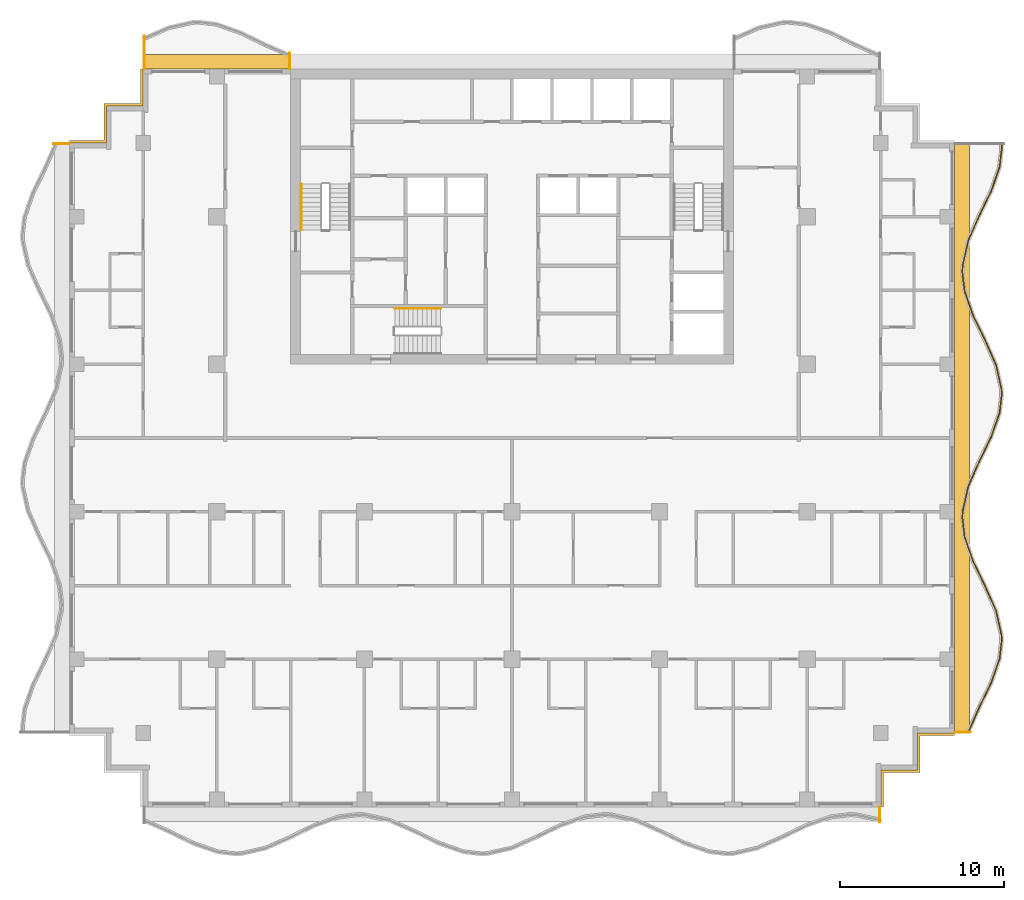
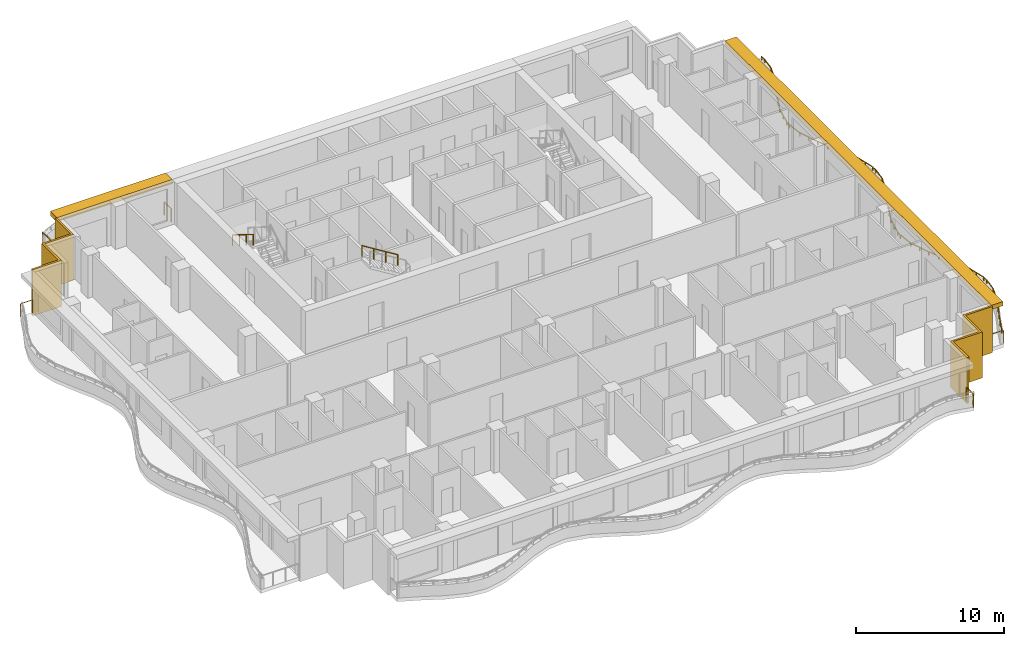
# One storey, part 10 of 11: 8 railings, 4 shading devices.
"""IFC4 building model written with IfcOpenShell, lengths in metres."""

import ifcopenshell
import ifcopenshell.guid

model = None  # the IFC model being written
_history = None  # IfcOwnerHistory: only IFC2X3 demands one
_inside = {}  # id of a spatial element -> (the spatial element, [elements in it])
_under = {}  # id of a project, library or spatial element -> (it, [spatial elements below it])
_declared = {}  # id of a project -> (the project, [libraries it declares])
_typed = {}  # id of a type object -> (the type object, [elements of that type])
_made_of = {}  # id of a material, layer set ... -> (it, [elements and type objects made of it])


def new_model(schema):
    """Start an empty IFC model of exactly this schema.

    Asked for "IFC4X3", IfcOpenShell would pick the latest addendum, in which some entities
    have other attributes; the version numbers below select the first issue.
    IFC2X3 requires an IfcOwnerHistory on every rooted entity: one is made here for all.
    """
    global model, _history
    if schema == "IFC4X3":
        model = ifcopenshell.file(schema_version=(4, 3, 0, 0))
    else:
        model = ifcopenshell.file(schema=schema)
    _inside.clear()
    _under.clear()
    _declared.clear()
    _typed.clear()
    _made_of.clear()
    _history = None
    if model.schema == "IFC2X3":
        org = make("IfcOrganization", Name="unknown")
        user = make(
            "IfcPersonAndOrganization",
            ThePerson=make("IfcPerson", FamilyName="unknown"),
            TheOrganization=org,
        )
        app = make(
            "IfcApplication",
            ApplicationDeveloper=org,
            Version="unknown",
            ApplicationFullName="unknown",
            ApplicationIdentifier="unknown",
        )
        _history = make(
            "IfcOwnerHistory",
            OwningUser=user,
            OwningApplication=app,
            ChangeAction="ADDED",
            CreationDate=0,
        )
    return model


def make(cls, **values):
    """One entity of the class cls with the attributes given. An attribute that is None is left unset."""
    return model.create_entity(
        cls, **{name: value for name, value in values.items() if value is not None}
    )


def rooted(cls, **values):
    """An entity with a GlobalId (a new one), such as an element, a storey or a relation."""
    return make(cls, GlobalId=ifcopenshell.guid.new(), OwnerHistory=_history, **values)


def si_unit(unit_type, name, prefix=None):
    """IfcSIUnit, for example si_unit("LENGTHUNIT", "METRE", prefix="MILLI")."""
    return make("IfcSIUnit", UnitType=unit_type, Prefix=prefix, Name=name)


def assignment(units):
    """IfcUnitAssignment: the units of a project."""
    return None if units is None else make("IfcUnitAssignment", Units=units)


def point(xyz):
    """IfcCartesianPoint."""
    return None if xyz is None else make("IfcCartesianPoint", Coordinates=xyz)


def direction(xyz):
    """IfcDirection."""
    return None if xyz is None else make("IfcDirection", DirectionRatios=xyz)


def frame(location, z_axis=None, x_axis=None):
    """IfcAxis2Placement3D, a coordinate frame: its origin and axes. An axis left out is left unset."""
    return make(
        "IfcAxis2Placement3D",
        Location=point(location),
        Axis=direction(z_axis),
        RefDirection=direction(x_axis),
    )


def frame_2d(location, x_axis=None):
    """IfcAxis2Placement2D, a coordinate frame in the plane: its origin and x axis."""
    return make(
        "IfcAxis2Placement2D", Location=point(location), RefDirection=direction(x_axis)
    )


def origin():
    """The frame at (0, 0, 0) with its axes left unset."""
    return frame((0.0, 0.0, 0.0))


def origin_2d():
    """The frame at (0, 0) in the plane with its x axis left unset."""
    return frame_2d((0.0, 0.0))


def place(relative_to, where):
    """IfcLocalPlacement: puts the frame where relative to a parent placement (None: the world)."""
    return make(
        "IfcLocalPlacement", PlacementRelTo=relative_to, RelativePlacement=where
    )


def context(
    kind, dimensions, precision=None, world=None, true_north=None, identifier=None
):
    """IfcGeometricRepresentationContext, for example the 3D "Model" context."""
    return make(
        "IfcGeometricRepresentationContext",
        ContextIdentifier=identifier,
        ContextType=kind,
        CoordinateSpaceDimension=dimensions,
        Precision=precision,
        WorldCoordinateSystem=world,
        TrueNorth=true_north,
    )


def subcontext(parent, identifier, kind, view, scale=None):
    """IfcGeometricRepresentationSubContext, for example "Body" below "Model"."""
    return make(
        "IfcGeometricRepresentationSubContext",
        ContextIdentifier=identifier,
        ContextType=kind,
        ParentContext=parent,
        TargetScale=scale,
        TargetView=view,
    )


def project(units=None, contexts=None):
    """IfcProject with its units and contexts."""
    return rooted(
        "IfcProject",
        Name="project",
        RepresentationContexts=contexts,
        UnitsInContext=assignment(units),
    )


def spatial(cls, under=None, at=None, **own):
    """A site, building, storey or space (cls), placed at a placement, below another one or the project."""
    s = rooted(cls, ObjectPlacement=at, **own)
    if under is not None:
        _under.setdefault(under.id(), (under, []))[1].append(s)
    return s


def polyline(points):
    """IfcPolyline through the points."""
    return make("IfcPolyline", Points=[point(p) for p in points])


def profile(cls, at=None, kind="AREA", **sizes):
    """A parametric profile (cls). Its sizes go by their IFC names, for example OverallWidth=200.0."""
    return make(cls, ProfileType=kind, Position=at, **sizes)


def rectangle(**sizes):
    """IfcRectangleProfileDef."""
    return profile("IfcRectangleProfileDef", **sizes)


def circle(**sizes):
    """IfcCircleProfileDef."""
    return profile("IfcCircleProfileDef", **sizes)


def outline(outer, holes=None, kind="AREA"):
    """IfcArbitraryClosedProfileDef: a profile drawn as a closed curve; with holes, ...WithVoids."""
    if holes is None:
        return make("IfcArbitraryClosedProfileDef", ProfileType=kind, OuterCurve=outer)
    return make(
        "IfcArbitraryProfileDefWithVoids",
        ProfileType=kind,
        OuterCurve=outer,
        InnerCurves=holes,
    )


def extrude(swept, where, along, depth):
    """IfcExtrudedAreaSolid: the profile swept, set in the frame where, extruded along a direction by depth."""
    return make(
        "IfcExtrudedAreaSolid",
        SweptArea=swept,
        Position=where,
        ExtrudedDirection=direction(along),
        Depth=depth,
    )


def shape(context_of_items, identifier, shape_type, items):
    """IfcShapeRepresentation: the items that make up one representation, for example the "Body"."""
    return make(
        "IfcShapeRepresentation",
        ContextOfItems=context_of_items,
        RepresentationIdentifier=identifier,
        RepresentationType=shape_type,
        Items=items,
    )


def material(Name=None, Category=None):
    """IfcMaterial."""
    return make("IfcMaterial", Name=Name, Category=Category)


def layer(
    of_material, thickness, ventilated=None, Name=None, Category=None, Priority=None
):
    """IfcMaterialLayer: one layer of a wall or slab, of a material (None: an air gap)."""
    return make(
        "IfcMaterialLayer",
        Material=of_material,
        LayerThickness=thickness,
        IsVentilated=ventilated,
        Name=Name,
        Category=Category,
        Priority=Priority,
    )


def layer_set(layers, Name=None):
    """IfcMaterialLayerSet."""
    return make("IfcMaterialLayerSet", MaterialLayers=layers, LayerSetName=Name)


def made_of(thing, what):
    """Note that an element or type object is made of a material, layer set ...; save() writes the relation."""
    if what is not None:
        _made_of.setdefault(what.id(), (what, []))[1].append(thing)
    return thing


def type_object(cls, material=None, **own):
    """A type object (cls), such as IfcWallType, which elements share."""
    return made_of(rooted(cls, **own), material)


def element(
    cls,
    number,
    at=None,
    inside=None,
    cuts=None,
    type_object=None,
    material=None,
    context=None,
    identifier="Body",
    shape_type=None,
    held_by="IfcProductDefinitionShape",
    body=None,
    shapes=None,
    **own,
):
    """One element of the class cls, such as IfcWall. Its Tag is "e" and its number.

    at: its placement. inside: the storey or other place that contains it. cuts: it is an
    opening in that element (IfcRelVoidsElement). A single representation is given by context,
    identifier, shape_type and body (its items); several are given by shapes. held_by: the class
    of the entity that holds the representations. save() writes the other relations.
    """
    e = rooted(cls, Tag="e%d" % number, ObjectPlacement=at, **own)
    if body is not None:
        shapes = [shape(context, identifier, shape_type, body)]
    if shapes is not None:
        e.Representation = make(held_by, Representations=shapes)
    if inside is not None:
        _inside.setdefault(inside.id(), (inside, []))[1].append(e)
    if cuts is not None:
        rooted(
            "IfcRelVoidsElement", RelatingBuildingElement=cuts, RelatedOpeningElement=e
        )
    if type_object is not None:
        _typed.setdefault(type_object.id(), (type_object, []))[1].append(e)
    return made_of(e, material)


def aggregate(whole, parts):
    """IfcRelAggregates: a whole, such as a stair, and the parts it consists of."""
    return rooted("IfcRelAggregates", RelatingObject=whole, RelatedObjects=parts)


def save(model, path):
    """Write the relations noted so far, then the file.

    IfcRelAggregates (storeys below a building ...), IfcRelContainedInSpatialStructure (elements
    in a storey), IfcRelDefinesByType, IfcRelAssociatesMaterial and IfcRelDeclares: one each for
    every whole, place, type object, material and project.
    """
    for whole, parts in _under.values():
        aggregate(whole, parts)
    for where, things in _inside.values():
        rooted(
            "IfcRelContainedInSpatialStructure",
            RelatedElements=things,
            RelatingStructure=where,
        )
    for kind, things in _typed.values():
        rooted("IfcRelDefinesByType", RelatedObjects=things, RelatingType=kind)
    for what, things in _made_of.values():
        rooted("IfcRelAssociatesMaterial", RelatedObjects=things, RelatingMaterial=what)
    for by, libraries in _declared.values():
        rooted("IfcRelDeclares", RelatingContext=by, RelatedDefinitions=libraries)
    model.write(path)


model = new_model("IFC4")

# Units and contexts
model_context = context("Model", 3, precision=1e-05, world=origin(), true_north=direction((0.0, 1.0)))
body_context = subcontext(model_context, "Body", "Model", "MODEL_VIEW")
ifc_project = project(units=[si_unit("LENGTHUNIT", "METRE"), si_unit("AREAUNIT", "SQUARE_METRE"), si_unit("VOLUMEUNIT", "CUBIC_METRE"), si_unit("PLANEANGLEUNIT", "RADIAN"), si_unit("MASSUNIT", "GRAM", prefix="KILO")], contexts=[model_context])

# Site, building, storey
site_placement = place(None, origin())
site = spatial("IfcSite", under=ifc_project, at=site_placement, CompositionType="ELEMENT")
building_placement = place(site_placement, origin())
building = spatial("IfcBuilding", under=site, at=building_placement, Name="Orbiselva Terraces", CompositionType="ELEMENT")
storey_placement = place(building_placement, frame((0.0, 0.0, 238.8)))
storey = spatial("IfcBuildingStorey", under=building, at=storey_placement, Name="L60", CompositionType="ELEMENT", Elevation=238.8)

# Railings
ifc_material_1 = material(Name="Stainless steel", Category="steel")
railing_type_1 = type_object("IfcRailingType", Name="CORE-HANDRAIL-900", PredefinedType="HANDRAIL", material=ifc_material_1)
railing_1_placement = place(storey_placement, frame((-12.85, 15.5, 2.072727)))
element("IfcRailing", 1, at=railing_1_placement, inside=storey, type_object=railing_type_1, Name="L60 S1 stair handrail 2", PredefinedType="HANDRAIL", context=body_context, shape_type="SweptSolid", body=[
    extrude(circle(Radius=0.024, at=origin_2d()), frame((0.0, 0.0, 0.876), z_axis=(0.0, -0.851088519012, 0.52502222125), x_axis=(1.0, 0.0, 0.0)), (0.0, 0.0, 1.0), 3.289905),
    extrude(circle(Radius=0.021, at=origin_2d()), origin(), (0.0, 0.0, 1.0), 0.852),
    extrude(circle(Radius=0.021, at=origin_2d()), frame((0.0, -0.933333, 0.575758)), (0.0, 0.0, 1.0), 0.852),
    extrude(circle(Radius=0.021, at=origin_2d()), frame((0.0, -1.866667, 1.151515)), (0.0, 0.0, 1.0), 0.852),
    extrude(circle(Radius=0.021, at=origin_2d()), frame((0.0, -2.8, 1.727273)), (0.0, 0.0, 1.0), 0.852),
])
railing_2_placement = place(storey_placement, frame((-4.35, 7.9, 2.072727)))
element("IfcRailing", 2, at=railing_2_placement, inside=storey, type_object=railing_type_1, Name="L60 S3 stair handrail 2", PredefinedType="HANDRAIL", context=body_context, shape_type="SweptSolid", body=[
    extrude(circle(Radius=0.024, at=origin_2d()), frame((0.0, 0.0, 0.876), z_axis=(-0.851088519012, 0.0, 0.52502222125), x_axis=(0.0, -1.0, 0.0)), (0.0, 0.0, 1.0), 3.289905),
    extrude(circle(Radius=0.021, at=origin_2d()), origin(), (0.0, 0.0, 1.0), 0.852),
    extrude(circle(Radius=0.021, at=origin_2d()), frame((-0.933333, 0.0, 0.575758)), (0.0, 0.0, 1.0), 0.852),
    extrude(circle(Radius=0.021, at=origin_2d()), frame((-1.866667, 0.0, 1.151515)), (0.0, 0.0, 1.0), 0.852),
    extrude(circle(Radius=0.021, at=origin_2d()), frame((-2.8, 0.0, 1.727273)), (0.0, 0.0, 1.0), 0.852),
])
ifc_material_2 = material(Name="Bonded two-ply safety glass balustrade, stainless steel posts", Category="steel")
railing_type_2 = type_object("IfcRailingType", Name="ENV-BALUSTRADE-1200", PredefinedType="BALUSTRADE", material=ifc_material_2)
railing_3_placement = place(storey_placement, frame((27.83708, -17.949606, 0.9)))
element("IfcRailing", 3, at=railing_3_placement, inside=storey, type_object=railing_type_2, Name="Balcony balustrade L60 E", PredefinedType="BALUSTRADE", context=body_context, shape_type="SweptSolid", body=[
    extrude(outline(polyline([(0.028868, 0.0), (0.014434, 0.025), (-0.014434, 0.025), (-0.028868, 0.0), (-0.014434, -0.025), (0.014434, -0.025), (0.028868, 0.0)])), frame((0.0, 0.0, 0.275), z_axis=(0.403151175476, 0.915133394491, 0.0), x_axis=(-0.915133394491, 0.403151175476, 0.0)), (0.0, 0.0, 1.0), 1.641563),
    extrude(outline(polyline([(0.028868, 0.0), (0.014434, 0.025), (-0.014434, 0.025), (-0.028868, 0.0), (-0.014434, -0.025), (0.014434, -0.025), (0.028868, 0.0)])), frame((0.661798, 1.502249, 0.275), z_axis=(0.438811978768, 0.89857890432, 0.0), x_axis=(-0.89857890432, 0.438811978768, 0.0)), (0.0, 0.0, 1.0), 1.66438),
    extrude(outline(polyline([(0.028868, 0.0), (0.014434, 0.025), (-0.014434, 0.025), (-0.028868, 0.0), (-0.014434, -0.025), (0.014434, -0.025), (0.028868, 0.0)])), frame((1.392148, 2.997826, 0.275), z_axis=(0.330024754707, 0.943972277814, 0.0), x_axis=(-0.943972277814, 0.330024754707, 0.0)), (0.0, 0.0, 1.0), 1.567807),
    extrude(outline(polyline([(0.028868, 0.0), (0.014434, 0.025), (-0.014434, 0.025), (-0.028868, 0.0), (-0.014434, -0.025), (0.014434, -0.025), (0.028868, 0.0)])), frame((1.909563, 4.477792, 0.275), z_axis=(0.115481264762, 0.993309658409, 0.0), x_axis=(-0.993309658409, 0.115481264762, 0.0)), (0.0, 0.0, 1.0), 1.10902),
    extrude(outline(polyline([(0.028868, 0.0), (0.014434, 0.025), (-0.014434, 0.025), (-0.028868, 0.0), (-0.014434, -0.025), (0.014434, -0.025), (0.028868, 0.0)])), frame((2.037634, 5.579392, 0.275), z_axis=(-0.039364150694, 0.999224931454, 0.0), x_axis=(-0.999224931454, -0.039364150694, 0.0)), (0.0, 0.0, 1.0), 0.354206),
    extrude(outline(polyline([(0.028868, 0.0), (0.014434, 0.025), (-0.014434, 0.025), (-0.028868, 0.0), (-0.014434, -0.025), (0.014434, -0.025), (0.028868, 0.0)])), frame((2.023691, 5.933323, 0.275), z_axis=(-0.219015740235, 0.975721325753, 0.0), x_axis=(-0.975721325753, -0.219015740235, 0.0)), (0.0, 0.0, 1.0), 1.513782),
    extrude(outline(polyline([(0.028868, 0.0), (0.014434, 0.025), (-0.014434, 0.025), (-0.028868, 0.0), (-0.014434, -0.025), (0.014434, -0.025), (0.028868, 0.0)])), frame((1.692149, 7.410352, 0.275), z_axis=(-0.403151245402, 0.915133363686, 0.0), x_axis=(-0.915133363686, -0.403151245402, 0.0)), (0.0, 0.0, 1.0), 1.624475),
    extrude(outline(polyline([(0.028868, 0.0), (0.014434, 0.025), (-0.014434, 0.025), (-0.028868, 0.0), (-0.014434, -0.025), (0.014434, -0.025), (0.028868, 0.0)])), frame((1.03724, 8.896963, 0.275), z_axis=(-0.438812048596, 0.898578870221, 0.0), x_axis=(-0.898578870221, -0.438812048596, 0.0)), (0.0, 0.0, 1.0), 1.674225),
    extrude(outline(polyline([(0.028868, 0.0), (0.014434, 0.025), (-0.014434, 0.025), (-0.028868, 0.0), (-0.014434, -0.025), (0.014434, -0.025), (0.028868, 0.0)])), frame((0.30257, 10.401386, 0.275), z_axis=(-0.330024597479, 0.943972332783, 0.0), x_axis=(-0.943972332783, -0.330024597479, 0.0)), (0.0, 0.0, 1.0), 1.610253),
    extrude(outline(polyline([(0.028868, 0.0), (0.014434, 0.025), (-0.014434, 0.025), (-0.028868, 0.0), (-0.014434, -0.025), (0.014434, -0.025), (0.028868, 0.0)])), frame((-0.228853, 11.92142, 0.275), z_axis=(-0.115482182324, 0.993309551734, 0.0), x_axis=(-0.993309551734, -0.115482182324, 0.0)), (0.0, 0.0, 1.0), 1.156135),
    extrude(outline(polyline([(0.028868, 0.0), (0.014434, 0.025), (-0.014434, 0.025), (-0.028868, 0.0), (-0.014434, -0.025), (0.014434, -0.025), (0.028868, 0.0)])), frame((-0.362366, 13.06982, 0.275), z_axis=(0.03936915532, 0.999224734286, 0.0), x_axis=(-0.999224734286, 0.03936915532, 0.0)), (0.0, 0.0, 1.0), 0.396376),
    extrude(outline(polyline([(0.028868, 0.0), (0.014434, 0.025), (-0.014434, 0.025), (-0.028868, 0.0), (-0.014434, -0.025), (0.014434, -0.025), (0.028868, 0.0)])), frame((-0.346761, 13.465889, 0.275), z_axis=(0.219015500924, 0.97572137947, 0.0), x_axis=(-0.97572137947, 0.219015500924, 0.0)), (0.0, 0.0, 1.0), 1.560867),
    extrude(outline(polyline([(0.028868, 0.0), (0.014434, 0.025), (-0.014434, 0.025), (-0.028868, 0.0), (-0.014434, -0.025), (0.014434, -0.025), (0.028868, 0.0)])), frame((-0.004907, 14.98886, 0.275), z_axis=(0.403150874148, 0.915133527237, 0.0), x_axis=(-0.915133527237, 0.403150874148, 0.0)), (0.0, 0.0, 1.0), 1.653736),
    extrude(outline(polyline([(0.028868, 0.0), (0.014434, 0.025), (-0.014434, 0.025), (-0.028868, 0.0), (-0.014434, -0.025), (0.014434, -0.025), (0.028868, 0.0)])), frame((0.661798, 16.502249, 0.275), z_axis=(0.438811978768, 0.89857890432, 0.0), x_axis=(-0.89857890432, 0.438811978768, 0.0)), (0.0, 0.0, 1.0), 1.66438),
    extrude(outline(polyline([(0.028868, 0.0), (0.014434, 0.025), (-0.014434, 0.025), (-0.028868, 0.0), (-0.014434, -0.025), (0.014434, -0.025), (0.028868, 0.0)])), frame((1.392148, 17.997826, 0.275), z_axis=(0.330024754707, 0.943972277814, 0.0), x_axis=(-0.943972277814, 0.330024754707, 0.0)), (0.0, 0.0, 1.0), 1.567807),
    extrude(outline(polyline([(0.028868, 0.0), (0.014434, 0.025), (-0.014434, 0.025), (-0.028868, 0.0), (-0.014434, -0.025), (0.014434, -0.025), (0.028868, 0.0)])), frame((1.909563, 19.477792, 0.275), z_axis=(0.115481264762, 0.993309658409, 0.0), x_axis=(-0.993309658409, 0.115481264762, 0.0)), (0.0, 0.0, 1.0), 1.10902),
    extrude(outline(polyline([(0.028868, 0.0), (0.014434, 0.025), (-0.014434, 0.025), (-0.028868, 0.0), (-0.014434, -0.025), (0.014434, -0.025), (0.028868, 0.0)])), frame((2.037634, 20.579392, 0.275), z_axis=(-0.039364150694, 0.999224931454, 0.0), x_axis=(-0.999224931454, -0.039364150694, 0.0)), (0.0, 0.0, 1.0), 0.354206),
    extrude(outline(polyline([(0.028868, 0.0), (0.014434, 0.025), (-0.014434, 0.025), (-0.028868, 0.0), (-0.014434, -0.025), (0.014434, -0.025), (0.028868, 0.0)])), frame((2.023691, 20.933323, 0.275), z_axis=(-0.219015740235, 0.975721325753, 0.0), x_axis=(-0.975721325753, -0.219015740235, 0.0)), (0.0, 0.0, 1.0), 1.513782),
    extrude(outline(polyline([(0.028868, 0.0), (0.014434, 0.025), (-0.014434, 0.025), (-0.028868, 0.0), (-0.014434, -0.025), (0.014434, -0.025), (0.028868, 0.0)])), frame((1.692149, 22.410352, 0.275), z_axis=(-0.403151245402, 0.915133363686, 0.0), x_axis=(-0.915133363686, -0.403151245402, 0.0)), (0.0, 0.0, 1.0), 1.624475),
    extrude(outline(polyline([(0.028868, 0.0), (0.014434, 0.025), (-0.014434, 0.025), (-0.028868, 0.0), (-0.014434, -0.025), (0.014434, -0.025), (0.028868, 0.0)])), frame((1.03724, 23.896963, 0.275), z_axis=(-0.438812048596, 0.898578870221, 0.0), x_axis=(-0.898578870221, -0.438812048596, 0.0)), (0.0, 0.0, 1.0), 1.674225),
    extrude(outline(polyline([(0.028868, 0.0), (0.014434, 0.025), (-0.014434, 0.025), (-0.028868, 0.0), (-0.014434, -0.025), (0.014434, -0.025), (0.028868, 0.0)])), frame((0.30257, 25.401386, 0.275), z_axis=(-0.330024597479, 0.943972332783, 0.0), x_axis=(-0.943972332783, -0.330024597479, 0.0)), (0.0, 0.0, 1.0), 1.610253),
    extrude(outline(polyline([(0.028868, 0.0), (0.014434, 0.025), (-0.014434, 0.025), (-0.028868, 0.0), (-0.014434, -0.025), (0.014434, -0.025), (0.028868, 0.0)])), frame((-0.228853, 26.92142, 0.275), z_axis=(-0.115482182324, 0.993309551734, 0.0), x_axis=(-0.993309551734, -0.115482182324, 0.0)), (0.0, 0.0, 1.0), 1.156135),
    extrude(outline(polyline([(0.028868, 0.0), (0.014434, 0.025), (-0.014434, 0.025), (-0.028868, 0.0), (-0.014434, -0.025), (0.014434, -0.025), (0.028868, 0.0)])), frame((-0.362366, 28.06982, 0.275), z_axis=(0.03936915532, 0.999224734286, 0.0), x_axis=(-0.999224734286, 0.03936915532, 0.0)), (0.0, 0.0, 1.0), 0.396376),
    extrude(outline(polyline([(0.028868, 0.0), (0.014434, 0.025), (-0.014434, 0.025), (-0.028868, 0.0), (-0.014434, -0.025), (0.014434, -0.025), (0.028868, 0.0)])), frame((-0.346761, 28.465889, 0.275), z_axis=(0.219015500924, 0.97572137947, 0.0), x_axis=(-0.97572137947, 0.219015500924, 0.0)), (0.0, 0.0, 1.0), 1.560867),
    extrude(outline(polyline([(0.028868, 0.0), (0.014434, 0.025), (-0.014434, 0.025), (-0.028868, 0.0), (-0.014434, -0.025), (0.014434, -0.025), (0.028868, 0.0)])), frame((-0.004907, 29.98886, 0.275), z_axis=(0.403150874148, 0.915133527237, 0.0), x_axis=(-0.915133527237, 0.403150874148, 0.0)), (0.0, 0.0, 1.0), 1.653736),
    extrude(outline(polyline([(0.028868, 0.0), (0.014434, 0.025), (-0.014434, 0.025), (-0.028868, 0.0), (-0.014434, -0.025), (0.014434, -0.025), (0.028868, 0.0)])), frame((0.661798, 31.502249, 0.275), z_axis=(0.438811978768, 0.89857890432, 0.0), x_axis=(-0.89857890432, 0.438811978768, 0.0)), (0.0, 0.0, 1.0), 1.66438),
    extrude(outline(polyline([(0.028868, 0.0), (0.014434, 0.025), (-0.014434, 0.025), (-0.028868, 0.0), (-0.014434, -0.025), (0.014434, -0.025), (0.028868, 0.0)])), frame((1.392148, 32.997826, 0.275), z_axis=(0.330024754707, 0.943972277814, 0.0), x_axis=(-0.943972277814, 0.330024754707, 0.0)), (0.0, 0.0, 1.0), 1.567807),
    extrude(outline(polyline([(0.028868, 0.0), (0.014434, 0.025), (-0.014434, 0.025), (-0.028868, 0.0), (-0.014434, -0.025), (0.014434, -0.025), (0.028868, 0.0)])), frame((1.909563, 34.477792, 0.275), z_axis=(0.115481264762, 0.993309658409, 0.0), x_axis=(-0.993309658409, 0.115481264762, 0.0)), (0.0, 0.0, 1.0), 1.10902),
    extrude(outline(polyline([(0.028868, 0.0), (0.014434, 0.025), (-0.014434, 0.025), (-0.028868, 0.0), (-0.014434, -0.025), (0.014434, -0.025), (0.028868, 0.0)])), frame((2.037634, 35.579392, 0.275), z_axis=(-0.039365236599, 0.999224888675, 0.0), x_axis=(-0.999224888675, -0.039365236599, 0.0)), (0.0, 0.0, 1.0), 0.365576),
    extrude(rectangle(XDim=0.05, YDim=0.05, at=origin_2d()), origin(), (0.0, 0.0, 1.0), 0.25),
    extrude(rectangle(XDim=0.05, YDim=0.05, at=origin_2d()), frame((0.330899, 0.751124, 0.0)), (0.0, 0.0, 1.0), 0.25),
    extrude(rectangle(XDim=0.05, YDim=0.05, at=origin_2d()), frame((0.661798, 1.502249, 0.0)), (0.0, 0.0, 1.0), 0.25),
    extrude(rectangle(XDim=0.05, YDim=0.05, at=origin_2d()), frame((1.026973, 2.250037, 0.0)), (0.0, 0.0, 1.0), 0.25),
    extrude(rectangle(XDim=0.05, YDim=0.05, at=origin_2d()), frame((1.392148, 2.997826, 0.0)), (0.0, 0.0, 1.0), 0.25),
    extrude(rectangle(XDim=0.05, YDim=0.05, at=origin_2d()), frame((1.650855, 3.737809, 0.0)), (0.0, 0.0, 1.0), 0.25),
    extrude(rectangle(XDim=0.05, YDim=0.05, at=origin_2d()), frame((1.909563, 4.477792, 0.0)), (0.0, 0.0, 1.0), 0.25),
    extrude(rectangle(XDim=0.05, YDim=0.05, at=origin_2d()), frame((2.037634, 5.579392, 0.0)), (0.0, 0.0, 1.0), 0.25),
    extrude(rectangle(XDim=0.05, YDim=0.05, at=origin_2d()), frame((2.023691, 5.933323, 0.0)), (0.0, 0.0, 1.0), 0.25),
    extrude(rectangle(XDim=0.05, YDim=0.05, at=origin_2d()), frame((1.85792, 6.671838, 0.0)), (0.0, 0.0, 1.0), 0.25),
    extrude(rectangle(XDim=0.05, YDim=0.05, at=origin_2d()), frame((1.692149, 7.410352, 0.0)), (0.0, 0.0, 1.0), 0.25),
    extrude(rectangle(XDim=0.05, YDim=0.05, at=origin_2d()), frame((1.364695, 8.153658, 0.0)), (0.0, 0.0, 1.0), 0.25),
    extrude(rectangle(XDim=0.05, YDim=0.05, at=origin_2d()), frame((1.03724, 8.896963, 0.0)), (0.0, 0.0, 1.0), 0.25),
    extrude(rectangle(XDim=0.05, YDim=0.05, at=origin_2d()), frame((0.669905, 9.649174, 0.0)), (0.0, 0.0, 1.0), 0.25),
    extrude(rectangle(XDim=0.05, YDim=0.05, at=origin_2d()), frame((0.30257, 10.401386, 0.0)), (0.0, 0.0, 1.0), 0.25),
    extrude(rectangle(XDim=0.05, YDim=0.05, at=origin_2d()), frame((0.036858, 11.161403, 0.0)), (0.0, 0.0, 1.0), 0.25),
    extrude(rectangle(XDim=0.05, YDim=0.05, at=origin_2d()), frame((-0.228853, 11.92142, 0.0)), (0.0, 0.0, 1.0), 0.25),
    extrude(rectangle(XDim=0.05, YDim=0.05, at=origin_2d()), frame((-0.362366, 13.06982, 0.0)), (0.0, 0.0, 1.0), 0.25),
    extrude(rectangle(XDim=0.05, YDim=0.05, at=origin_2d()), frame((-0.346761, 13.465889, 0.0)), (0.0, 0.0, 1.0), 0.25),
    extrude(rectangle(XDim=0.05, YDim=0.05, at=origin_2d()), frame((-0.175834, 14.227374, 0.0)), (0.0, 0.0, 1.0), 0.25),
    extrude(rectangle(XDim=0.05, YDim=0.05, at=origin_2d()), frame((-0.004907, 14.98886, 0.0)), (0.0, 0.0, 1.0), 0.25),
    extrude(rectangle(XDim=0.05, YDim=0.05, at=origin_2d()), frame((0.328446, 15.745554, 0.0)), (0.0, 0.0, 1.0), 0.25),
    extrude(rectangle(XDim=0.05, YDim=0.05, at=origin_2d()), frame((0.661798, 16.502249, 0.0)), (0.0, 0.0, 1.0), 0.25),
    extrude(rectangle(XDim=0.05, YDim=0.05, at=origin_2d()), frame((1.026973, 17.250037, 0.0)), (0.0, 0.0, 1.0), 0.25),
    extrude(rectangle(XDim=0.05, YDim=0.05, at=origin_2d()), frame((1.392148, 17.997826, 0.0)), (0.0, 0.0, 1.0), 0.25),
    extrude(rectangle(XDim=0.05, YDim=0.05, at=origin_2d()), frame((1.650855, 18.737809, 0.0)), (0.0, 0.0, 1.0), 0.25),
    extrude(rectangle(XDim=0.05, YDim=0.05, at=origin_2d()), frame((1.909563, 19.477792, 0.0)), (0.0, 0.0, 1.0), 0.25),
    extrude(rectangle(XDim=0.05, YDim=0.05, at=origin_2d()), frame((2.037634, 20.579392, 0.0)), (0.0, 0.0, 1.0), 0.25),
    extrude(rectangle(XDim=0.05, YDim=0.05, at=origin_2d()), frame((2.023691, 20.933323, 0.0)), (0.0, 0.0, 1.0), 0.25),
    extrude(rectangle(XDim=0.05, YDim=0.05, at=origin_2d()), frame((1.85792, 21.671838, 0.0)), (0.0, 0.0, 1.0), 0.25),
    extrude(rectangle(XDim=0.05, YDim=0.05, at=origin_2d()), frame((1.692149, 22.410352, 0.0)), (0.0, 0.0, 1.0), 0.25),
    extrude(rectangle(XDim=0.05, YDim=0.05, at=origin_2d()), frame((1.364695, 23.153658, 0.0)), (0.0, 0.0, 1.0), 0.25),
    extrude(rectangle(XDim=0.05, YDim=0.05, at=origin_2d()), frame((1.03724, 23.896963, 0.0)), (0.0, 0.0, 1.0), 0.25),
    extrude(rectangle(XDim=0.05, YDim=0.05, at=origin_2d()), frame((0.669905, 24.649174, 0.0)), (0.0, 0.0, 1.0), 0.25),
    extrude(rectangle(XDim=0.05, YDim=0.05, at=origin_2d()), frame((0.30257, 25.401386, 0.0)), (0.0, 0.0, 1.0), 0.25),
    extrude(rectangle(XDim=0.05, YDim=0.05, at=origin_2d()), frame((0.036858, 26.161403, 0.0)), (0.0, 0.0, 1.0), 0.25),
    extrude(rectangle(XDim=0.05, YDim=0.05, at=origin_2d()), frame((-0.228853, 26.92142, 0.0)), (0.0, 0.0, 1.0), 0.25),
    extrude(rectangle(XDim=0.05, YDim=0.05, at=origin_2d()), frame((-0.362366, 28.06982, 0.0)), (0.0, 0.0, 1.0), 0.25),
    extrude(rectangle(XDim=0.05, YDim=0.05, at=origin_2d()), frame((-0.346761, 28.465889, 0.0)), (0.0, 0.0, 1.0), 0.25),
    extrude(rectangle(XDim=0.05, YDim=0.05, at=origin_2d()), frame((-0.175834, 29.227374, 0.0)), (0.0, 0.0, 1.0), 0.25),
    extrude(rectangle(XDim=0.05, YDim=0.05, at=origin_2d()), frame((-0.004907, 29.98886, 0.0)), (0.0, 0.0, 1.0), 0.25),
    extrude(rectangle(XDim=0.05, YDim=0.05, at=origin_2d()), frame((0.328446, 30.745554, 0.0)), (0.0, 0.0, 1.0), 0.25),
    extrude(rectangle(XDim=0.05, YDim=0.05, at=origin_2d()), frame((0.661798, 31.502249, 0.0)), (0.0, 0.0, 1.0), 0.25),
    extrude(rectangle(XDim=0.05, YDim=0.05, at=origin_2d()), frame((1.026973, 32.250038, 0.0)), (0.0, 0.0, 1.0), 0.25),
    extrude(rectangle(XDim=0.05, YDim=0.05, at=origin_2d()), frame((1.392148, 32.997826, 0.0)), (0.0, 0.0, 1.0), 0.25),
    extrude(rectangle(XDim=0.05, YDim=0.05, at=origin_2d()), frame((1.650855, 33.737809, 0.0)), (0.0, 0.0, 1.0), 0.25),
    extrude(rectangle(XDim=0.05, YDim=0.05, at=origin_2d()), frame((1.909563, 34.477792, 0.0)), (0.0, 0.0, 1.0), 0.25),
    extrude(rectangle(XDim=0.05, YDim=0.05, at=origin_2d()), frame((2.037634, 35.579392, 0.0)), (0.0, 0.0, 1.0), 0.25),
    extrude(rectangle(XDim=0.05, YDim=0.05, at=origin_2d()), frame((2.023243, 35.944685, 0.0)), (0.0, 0.0, 1.0), 0.25),
])
ifc_material_3 = material(Name="Stainless steel rail and posts", Category="steel")
railing_type_3 = type_object("IfcRailingType", Name="ENV-GUARD-1105", PredefinedType="BALUSTRADE", material=ifc_material_3)
railing_4_placement = place(storey_placement, frame((22.44, -23.430416, 0.0)))
element("IfcRailing", 4, at=railing_4_placement, inside=storey, type_object=railing_type_3, Name="Balcony end guard L60 S", PredefinedType="BALUSTRADE", context=body_context, shape_type="SweptSolid", body=[
    extrude(outline(polyline([(0.028868, 0.0), (0.014434, 0.025), (-0.014434, 0.025), (-0.028868, 0.0), (-0.014434, -0.025), (0.014434, -0.025), (0.028868, 0.0)])), frame((0.0, 0.0, 1.08), z_axis=(0.0, 1.0, 0.0), x_axis=(-1.0, 0.0, 0.0)), (0.0, 0.0, 1.0), 0.905416),
    extrude(rectangle(XDim=0.05, YDim=0.05, at=origin_2d()), origin(), (0.0, 0.0, 1.0), 1.055),
    extrude(rectangle(XDim=0.05, YDim=0.05, at=origin_2d()), frame((0.0, 0.905416, 0.0)), (0.0, 0.0, 1.0), 1.055),
])
railing_5_placement = place(storey_placement, frame((27.973063, -17.94, 0.0)))
element("IfcRailing", 5, at=railing_5_placement, inside=storey, type_object=railing_type_3, Name="Balcony end guard L60 E", PredefinedType="BALUSTRADE", context=body_context, shape_type="SweptSolid", body=[
    extrude(outline(polyline([(0.028868, 0.0), (0.014434, 0.025), (-0.014434, 0.025), (-0.028868, 0.0), (-0.014434, -0.025), (0.014434, -0.025), (0.028868, 0.0)])), frame((0.0, 0.0, 1.08), z_axis=(-1.0, 0.0, 0.0), x_axis=(0.0, -1.0, 0.0)), (0.0, 0.0, 1.0), 0.948063),
    extrude(rectangle(XDim=0.05, YDim=0.05, at=origin_2d()), origin(), (0.0, 0.0, 1.0), 1.055),
    extrude(rectangle(XDim=0.05, YDim=0.05, at=origin_2d()), frame((-0.948063, 0.0, 0.0)), (0.0, 0.0, 1.0), 1.055),
])
railing_6_placement = place(storey_placement, frame((-13.56, 23.473063, 0.0)))
element("IfcRailing", 6, at=railing_6_placement, inside=storey, type_object=railing_type_3, Name="Balcony end guard L60 NW", PredefinedType="BALUSTRADE", context=body_context, shape_type="SweptSolid", body=[
    extrude(outline(polyline([(0.028868, 0.0), (0.014434, 0.025), (-0.014434, 0.025), (-0.028868, 0.0), (-0.014434, -0.025), (0.014434, -0.025), (0.028868, 0.0)])), frame((0.0, 0.0, 1.08), z_axis=(0.0, -1.0, 0.0), x_axis=(1.0, 0.0, 0.0)), (0.0, 0.0, 1.0), 0.948063),
    extrude(rectangle(XDim=0.05, YDim=0.05, at=origin_2d()), origin(), (0.0, 0.0, 1.0), 1.055),
    extrude(rectangle(XDim=0.05, YDim=0.05, at=origin_2d()), frame((0.0, -0.948063, 0.0)), (0.0, 0.0, 1.0), 1.055),
])
railing_7_placement = place(storey_placement, frame((-22.44, 24.517447, 0.0)))
element("IfcRailing", 7, at=railing_7_placement, inside=storey, type_object=railing_type_3, Name="Balcony end guard L60 NW", PredefinedType="BALUSTRADE", context=body_context, shape_type="SweptSolid", body=[
    extrude(outline(polyline([(0.028868, 0.0), (0.014434, 0.025), (-0.014434, 0.025), (-0.028868, 0.0), (-0.014434, -0.025), (0.014434, -0.025), (0.028868, 0.0)])), frame((0.0, 0.0, 1.08), z_axis=(0.0, -1.0, 0.0), x_axis=(1.0, 0.0, 0.0)), (0.0, 0.0, 1.0), 1.992447),
    extrude(rectangle(XDim=0.05, YDim=0.05, at=origin_2d()), origin(), (0.0, 0.0, 1.0), 1.055),
    extrude(rectangle(XDim=0.05, YDim=0.05, at=origin_2d()), frame((0.0, -0.996224, 0.0)), (0.0, 0.0, 1.0), 1.055),
    extrude(rectangle(XDim=0.05, YDim=0.05, at=origin_2d()), frame((0.0, -1.992447, 0.0)), (0.0, 0.0, 1.0), 1.055),
])
railing_8_placement = place(storey_placement, frame((-27.973063, 17.94, 0.0)))
element("IfcRailing", 8, at=railing_8_placement, inside=storey, type_object=railing_type_3, Name="Balcony end guard L60 W", PredefinedType="BALUSTRADE", context=body_context, shape_type="SweptSolid", body=[
    extrude(outline(polyline([(0.028868, 0.0), (0.014434, 0.025), (-0.014434, 0.025), (-0.028868, 0.0), (-0.014434, -0.025), (0.014434, -0.025), (0.028868, 0.0)])), frame((0.0, 0.0, 1.08), z_axis=(1.0, 0.0, 0.0), x_axis=(0.0, 1.0, 0.0)), (0.0, 0.0, 1.0), 0.948063),
    extrude(rectangle(XDim=0.05, YDim=0.05, at=origin_2d()), origin(), (0.0, 0.0, 1.0), 1.055),
    extrude(rectangle(XDim=0.05, YDim=0.05, at=origin_2d()), frame((0.948063, 0.0, 0.0)), (0.0, 0.0, 1.0), 1.055),
])

# Shading devices
ifc_material_4 = material(Name="Terracotta louvre screen", Category="masonry")
ifc_layer_1 = layer(ifc_material_4, 0.15)
ifc_layer_set_1 = layer_set([ifc_layer_1], Name="Terracotta louvre screen")
shading_device_type_1 = type_object("IfcShadingDeviceType", Name="ENV-SCREEN-150", PredefinedType="USERDEFINED", material=ifc_layer_set_1)
shading_device_1_placement = place(storey_placement, frame((0.0, 0.0, -0.3)))
element("IfcShadingDevice", 9, at=shading_device_1_placement, inside=storey, type_object=shading_device_type_1, Name="Louvre screen L60 NW", ObjectType="SCREEN", PredefinedType="USERDEFINED", context=body_context, shape_type="SweptSolid", body=[
    extrude(outline(polyline([(-22.65, 22.5), (-22.65, 20.4), (-24.9, 20.4), (-24.9, 18.15), (-27.0, 18.15), (-27.0, 18.0), (-24.75, 18.0), (-24.75, 20.25), (-22.5, 20.25), (-22.5, 22.5), (-22.65, 22.5)])), origin(), (0.0, 0.0, 1.0), 3.8),
])
shading_device_2_placement = place(storey_placement, frame((0.0, 0.0, -0.3)))
element("IfcShadingDevice", 10, at=shading_device_2_placement, inside=storey, type_object=shading_device_type_1, Name="Louvre screen L60 SE", ObjectType="SCREEN", PredefinedType="USERDEFINED", context=body_context, shape_type="SweptSolid", body=[
    extrude(outline(polyline([(22.65, -22.5), (22.65, -20.4), (24.9, -20.4), (24.9, -18.15), (27.0, -18.15), (27.0, -18.0), (24.75, -18.0), (24.75, -20.25), (22.5, -20.25), (22.5, -22.5), (22.65, -22.5)])), origin(), (0.0, 0.0, 1.0), 3.8),
])
ifc_material_5 = material(Name="Terracotta baguette sunshade", Category="masonry")
ifc_layer_2 = layer(ifc_material_5, 0.35)
ifc_layer_set_2 = layer_set([ifc_layer_2], Name="Terracotta baguette sunshade")
shading_device_type_2 = type_object("IfcShadingDeviceType", Name="ENV-SUNSHADE-900x350", PredefinedType="USERDEFINED", material=ifc_layer_set_2)
shading_device_3_placement = place(storey_placement, frame((0.0, 0.0, 3.15)))
element("IfcShadingDevice", 11, at=shading_device_3_placement, inside=storey, type_object=shading_device_type_2, Name="Sunshade band L60 E", ObjectType="SUNSHADE", PredefinedType="USERDEFINED", context=body_context, shape_type="SweptSolid", body=[
    extrude(outline(polyline([(27.9, -18.0), (27.9, 18.0), (27.0, 18.0), (27.0, -18.0), (27.9, -18.0)])), origin(), (0.0, 0.0, 1.0), 0.35),
])
shading_device_4_placement = place(storey_placement, frame((0.0, 0.0, 3.15)))
element("IfcShadingDevice", 12, at=shading_device_4_placement, inside=storey, type_object=shading_device_type_2, Name="Sunshade band L60 NW", ObjectType="SUNSHADE", PredefinedType="USERDEFINED", context=body_context, shape_type="SweptSolid", body=[
    extrude(outline(polyline([(-13.5, 23.4), (-22.5, 23.4), (-22.5, 22.5), (-13.5, 22.5), (-13.5, 23.4)])), origin(), (0.0, 0.0, 1.0), 0.35),
])

save(model, "model.ifc")
